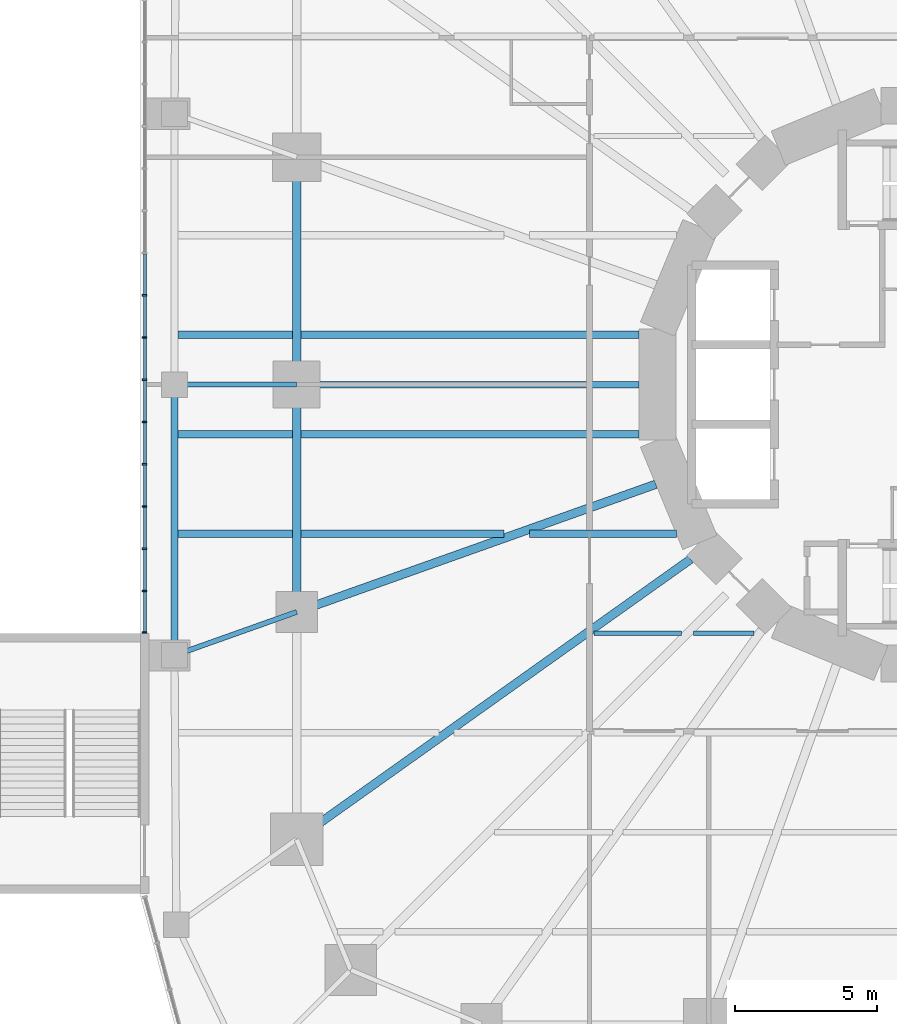
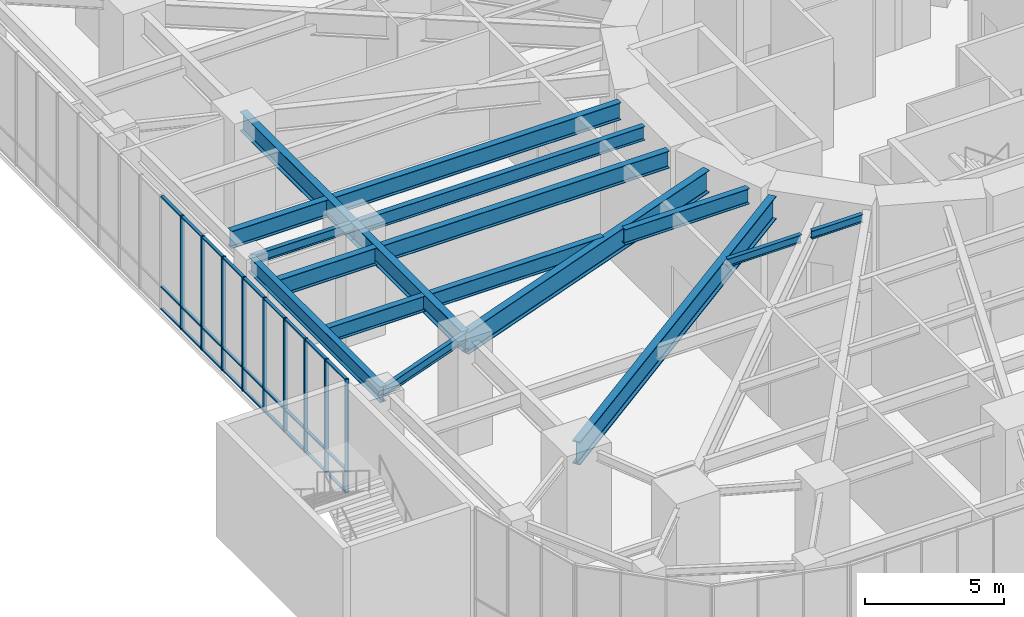
# One storey, part 4 of 24: 36 members, 17 beams, 1 element without a shape of its own.
"""IFC4 building model written with IfcOpenShell, lengths in metres."""

import ifcopenshell
import ifcopenshell.guid

model = None  # the IFC model being written
_history = None  # IfcOwnerHistory: only IFC2X3 demands one
_inside = {}  # id of a spatial element -> (the spatial element, [elements in it])
_under = {}  # id of a project, library or spatial element -> (it, [spatial elements below it])
_declared = {}  # id of a project -> (the project, [libraries it declares])
_typed = {}  # id of a type object -> (the type object, [elements of that type])
_made_of = {}  # id of a material, layer set ... -> (it, [elements and type objects made of it])


def new_model(schema):
    """Start an empty IFC model of exactly this schema.

    Asked for "IFC4X3", IfcOpenShell would pick the latest addendum, in which some entities
    have other attributes; the version numbers below select the first issue.
    IFC2X3 requires an IfcOwnerHistory on every rooted entity: one is made here for all.
    """
    global model, _history
    if schema == "IFC4X3":
        model = ifcopenshell.file(schema_version=(4, 3, 0, 0))
    else:
        model = ifcopenshell.file(schema=schema)
    _inside.clear()
    _under.clear()
    _declared.clear()
    _typed.clear()
    _made_of.clear()
    _history = None
    if model.schema == "IFC2X3":
        org = make("IfcOrganization", Name="unknown")
        user = make(
            "IfcPersonAndOrganization",
            ThePerson=make("IfcPerson", FamilyName="unknown"),
            TheOrganization=org,
        )
        app = make(
            "IfcApplication",
            ApplicationDeveloper=org,
            Version="unknown",
            ApplicationFullName="unknown",
            ApplicationIdentifier="unknown",
        )
        _history = make(
            "IfcOwnerHistory",
            OwningUser=user,
            OwningApplication=app,
            ChangeAction="ADDED",
            CreationDate=0,
        )
    return model


def make(cls, **values):
    """One entity of the class cls with the attributes given. An attribute that is None is left unset."""
    return model.create_entity(
        cls, **{name: value for name, value in values.items() if value is not None}
    )


def rooted(cls, **values):
    """An entity with a GlobalId (a new one), such as an element, a storey or a relation."""
    return make(cls, GlobalId=ifcopenshell.guid.new(), OwnerHistory=_history, **values)


def si_unit(unit_type, name, prefix=None):
    """IfcSIUnit, for example si_unit("LENGTHUNIT", "METRE", prefix="MILLI")."""
    return make("IfcSIUnit", UnitType=unit_type, Prefix=prefix, Name=name)


def assignment(units):
    """IfcUnitAssignment: the units of a project."""
    return None if units is None else make("IfcUnitAssignment", Units=units)


def point(xyz):
    """IfcCartesianPoint."""
    return None if xyz is None else make("IfcCartesianPoint", Coordinates=xyz)


def direction(xyz):
    """IfcDirection."""
    return None if xyz is None else make("IfcDirection", DirectionRatios=xyz)


def frame(location, z_axis=None, x_axis=None):
    """IfcAxis2Placement3D, a coordinate frame: its origin and axes. An axis left out is left unset."""
    return make(
        "IfcAxis2Placement3D",
        Location=point(location),
        Axis=direction(z_axis),
        RefDirection=direction(x_axis),
    )


def frame_2d(location, x_axis=None):
    """IfcAxis2Placement2D, a coordinate frame in the plane: its origin and x axis."""
    return make(
        "IfcAxis2Placement2D", Location=point(location), RefDirection=direction(x_axis)
    )


def origin():
    """The frame at (0, 0, 0) with its axes left unset."""
    return frame((0.0, 0.0, 0.0))


def origin_2d():
    """The frame at (0, 0) in the plane with its x axis left unset."""
    return frame_2d((0.0, 0.0))


def place(relative_to, where):
    """IfcLocalPlacement: puts the frame where relative to a parent placement (None: the world)."""
    return make(
        "IfcLocalPlacement", PlacementRelTo=relative_to, RelativePlacement=where
    )


def context(
    kind, dimensions, precision=None, world=None, true_north=None, identifier=None
):
    """IfcGeometricRepresentationContext, for example the 3D "Model" context."""
    return make(
        "IfcGeometricRepresentationContext",
        ContextIdentifier=identifier,
        ContextType=kind,
        CoordinateSpaceDimension=dimensions,
        Precision=precision,
        WorldCoordinateSystem=world,
        TrueNorth=true_north,
    )


def subcontext(parent, identifier, kind, view, scale=None):
    """IfcGeometricRepresentationSubContext, for example "Body" below "Model"."""
    return make(
        "IfcGeometricRepresentationSubContext",
        ContextIdentifier=identifier,
        ContextType=kind,
        ParentContext=parent,
        TargetScale=scale,
        TargetView=view,
    )


def project(units=None, contexts=None):
    """IfcProject with its units and contexts."""
    return rooted(
        "IfcProject",
        Name="project",
        RepresentationContexts=contexts,
        UnitsInContext=assignment(units),
    )


def spatial(cls, under=None, at=None, **own):
    """A site, building, storey or space (cls), placed at a placement, below another one or the project."""
    s = rooted(cls, ObjectPlacement=at, **own)
    if under is not None:
        _under.setdefault(under.id(), (under, []))[1].append(s)
    return s


def profile(cls, at=None, kind="AREA", **sizes):
    """A parametric profile (cls). Its sizes go by their IFC names, for example OverallWidth=200.0."""
    return make(cls, ProfileType=kind, Position=at, **sizes)


def rectangle(**sizes):
    """IfcRectangleProfileDef."""
    return profile("IfcRectangleProfileDef", **sizes)


def i_section(**sizes):
    """IfcIShapeProfileDef."""
    return profile("IfcIShapeProfileDef", **sizes)


def extrude(swept, where, along, depth):
    """IfcExtrudedAreaSolid: the profile swept, set in the frame where, extruded along a direction by depth."""
    return make(
        "IfcExtrudedAreaSolid",
        SweptArea=swept,
        Position=where,
        ExtrudedDirection=direction(along),
        Depth=depth,
    )


def shape(context_of_items, identifier, shape_type, items):
    """IfcShapeRepresentation: the items that make up one representation, for example the "Body"."""
    return make(
        "IfcShapeRepresentation",
        ContextOfItems=context_of_items,
        RepresentationIdentifier=identifier,
        RepresentationType=shape_type,
        Items=items,
    )


def material(Name=None, Category=None):
    """IfcMaterial."""
    return make("IfcMaterial", Name=Name, Category=Category)


def material_profile(
    of_material, cross_section, Name=None, Category=None, Priority=None
):
    """IfcMaterialProfile: a cross section and its material."""
    return make(
        "IfcMaterialProfile",
        Name=Name,
        Material=of_material,
        Profile=cross_section,
        Priority=Priority,
        Category=Category,
    )


def profile_set(profiles, Name=None, composite=None):
    """IfcMaterialProfileSet."""
    return make(
        "IfcMaterialProfileSet",
        Name=Name,
        MaterialProfiles=profiles,
        CompositeProfile=composite,
    )


def made_of(thing, what):
    """Note that an element or type object is made of a material, layer set ...; save() writes the relation."""
    if what is not None:
        _made_of.setdefault(what.id(), (what, []))[1].append(thing)
    return thing


def type_object(cls, material=None, **own):
    """A type object (cls), such as IfcWallType, which elements share."""
    return made_of(rooted(cls, **own), material)


def element(
    cls,
    number,
    at=None,
    inside=None,
    cuts=None,
    type_object=None,
    material=None,
    context=None,
    identifier="Body",
    shape_type=None,
    held_by="IfcProductDefinitionShape",
    body=None,
    shapes=None,
    **own,
):
    """One element of the class cls, such as IfcWall. Its Tag is "e" and its number.

    at: its placement. inside: the storey or other place that contains it. cuts: it is an
    opening in that element (IfcRelVoidsElement). A single representation is given by context,
    identifier, shape_type and body (its items); several are given by shapes. held_by: the class
    of the entity that holds the representations. save() writes the other relations.
    """
    e = rooted(cls, Tag="e%d" % number, ObjectPlacement=at, **own)
    if body is not None:
        shapes = [shape(context, identifier, shape_type, body)]
    if shapes is not None:
        e.Representation = make(held_by, Representations=shapes)
    if inside is not None:
        _inside.setdefault(inside.id(), (inside, []))[1].append(e)
    if cuts is not None:
        rooted(
            "IfcRelVoidsElement", RelatingBuildingElement=cuts, RelatedOpeningElement=e
        )
    if type_object is not None:
        _typed.setdefault(type_object.id(), (type_object, []))[1].append(e)
    return made_of(e, material)


def aggregate(whole, parts):
    """IfcRelAggregates: a whole, such as a stair, and the parts it consists of."""
    return rooted("IfcRelAggregates", RelatingObject=whole, RelatedObjects=parts)


def save(model, path):
    """Write the relations noted so far, then the file.

    IfcRelAggregates (storeys below a building ...), IfcRelContainedInSpatialStructure (elements
    in a storey), IfcRelDefinesByType, IfcRelAssociatesMaterial and IfcRelDeclares: one each for
    every whole, place, type object, material and project.
    """
    for whole, parts in _under.values():
        aggregate(whole, parts)
    for where, things in _inside.values():
        rooted(
            "IfcRelContainedInSpatialStructure",
            RelatedElements=things,
            RelatingStructure=where,
        )
    for kind, things in _typed.values():
        rooted("IfcRelDefinesByType", RelatedObjects=things, RelatingType=kind)
    for what, things in _made_of.values():
        rooted("IfcRelAssociatesMaterial", RelatedObjects=things, RelatingMaterial=what)
    for by, libraries in _declared.values():
        rooted("IfcRelDeclares", RelatingContext=by, RelatedDefinitions=libraries)
    model.write(path)


model = new_model("IFC4")

# Units and contexts
model_context = context("Model", 3, precision=1e-05, world=origin(), true_north=direction((0.0, 1.0)))
body_context = subcontext(model_context, "Body", "Model", "MODEL_VIEW")
ifc_project = project(units=[si_unit("LENGTHUNIT", "METRE"), si_unit("AREAUNIT", "SQUARE_METRE"), si_unit("VOLUMEUNIT", "CUBIC_METRE"), si_unit("PLANEANGLEUNIT", "RADIAN"), si_unit("MASSUNIT", "GRAM", prefix="KILO")], contexts=[model_context])

# Site, building, storey
site_placement = place(None, origin())
site = spatial("IfcSite", under=ifc_project, at=site_placement, CompositionType="ELEMENT")
building_placement = place(site_placement, origin())
building = spatial("IfcBuilding", under=site, at=building_placement, Name="Nakasero Lantern House", CompositionType="ELEMENT")
storey_placement = place(building_placement, frame((0.0, 0.0, 6.0)))
storey = spatial("IfcBuildingStorey", under=building, at=storey_placement, Name="L01", CompositionType="ELEMENT", Elevation=6.0)

# Beams
ifc_material_1 = material(Name="Steel S355", Category="steel")
ifc_material_profile_1 = material_profile(ifc_material_1, i_section(OverallWidth=0.17138671875, OverallDepth=0.35498046875, WebThickness=0.00732421875, FlangeThickness=0.011474609375, FilletRadius=0.01025390625, at=origin_2d()), Name="UB 356x171x51")
ifc_profile_set_1 = profile_set([ifc_material_profile_1], Name="Steel S355")
beam_type_1 = type_object("IfcBeamType", Name="Infill beam UB 356x171x51", PredefinedType="JOIST", material=ifc_profile_set_1)
beam_1_placement = place(storey_placement, frame((-12.043212890625, -8.75, 4.62255859375), z_axis=(1.0, 0.0, 0.0), x_axis=(0.0, 1.0, 0.0)))
element("IfcBeam", 1, at=beam_1_placement, inside=storey, type_object=beam_type_1, Name="Infill beam L02 06.1", PredefinedType="JOIST", context=body_context, shape_type="SweptSolid", body=[
    extrude(i_section(OverallWidth=0.17138671875, OverallDepth=0.35498046875, WebThickness=0.00732421875, FlangeThickness=0.011474609375, FilletRadius=0.01025390625, at=origin_2d()), origin(), (0.0, 0.0, 1.0), 3.0771484375),
])
beam_2_placement = place(storey_placement, frame((-8.533935546875, -8.75, 4.62255859375), z_axis=(1.0, 0.0, 0.0), x_axis=(0.0, 1.0, 0.0)))
element("IfcBeam", 2, at=beam_2_placement, inside=storey, type_object=beam_type_1, Name="Infill beam L02 06.2", PredefinedType="JOIST", context=body_context, shape_type="SweptSolid", body=[
    extrude(i_section(OverallWidth=0.17138671875, OverallDepth=0.35498046875, WebThickness=0.00732421875, FlangeThickness=0.011474609375, FilletRadius=0.01025390625, at=origin_2d()), origin(), (0.0, 0.0, 1.0), 2.124267578125),
])
ifc_material_2 = material(Name="Steel S355", Category="steel")
ifc_material_profile_2 = material_profile(ifc_material_2, i_section(OverallWidth=0.253662109375, OverallDepth=0.68359375, WebThickness=0.012451171875, FlangeThickness=0.01904296875, FilletRadius=0.01513671875, at=origin_2d()), Name="UB 686x254x140")
ifc_profile_set_2 = profile_set([ifc_material_profile_2], Name="Steel S355")
beam_type_2 = type_object("IfcBeamType", Name="Infill beam UB 686x254x140", PredefinedType="JOIST", material=ifc_profile_set_2)
beam_3_placement = place(storey_placement, frame((-26.672119140625, -5.25, 4.458251953125), z_axis=(1.0, 0.0, 0.0), x_axis=(0.0, 1.0, 0.0)))
element("IfcBeam", 3, at=beam_3_placement, inside=storey, type_object=beam_type_2, Name="Infill beam L02 07.1", PredefinedType="JOIST", context=body_context, shape_type="SweptSolid", body=[
    extrude(i_section(OverallWidth=0.253662109375, OverallDepth=0.68359375, WebThickness=0.012451171875, FlangeThickness=0.01904296875, FilletRadius=0.01513671875, at=origin_2d()), origin(), (0.0, 0.0, 1.0), 4.02587890625),
])
beam_4_placement = place(storey_placement, frame((-22.353759765625, -5.25, 4.458251953125), z_axis=(1.0, 0.0, 0.0), x_axis=(0.0, 1.0, 0.0)))
element("IfcBeam", 4, at=beam_4_placement, inside=storey, type_object=beam_type_2, Name="Infill beam L02 07.2", PredefinedType="JOIST", context=body_context, shape_type="SweptSolid", body=[
    extrude(i_section(OverallWidth=0.253662109375, OverallDepth=0.68359375, WebThickness=0.012451171875, FlangeThickness=0.01904296875, FilletRadius=0.01513671875, at=origin_2d()), origin(), (0.0, 0.0, 1.0), 7.140380859375),
])
beam_5_placement = place(storey_placement, frame((-14.31787109375, -5.25, 4.458251953125), z_axis=(1.0, 0.0, 0.0), x_axis=(0.0, 1.0, 0.0)))
element("IfcBeam", 5, at=beam_5_placement, inside=storey, type_object=beam_type_2, Name="Infill beam L02 07.3", PredefinedType="JOIST", context=body_context, shape_type="SweptSolid", body=[
    extrude(i_section(OverallWidth=0.253662109375, OverallDepth=0.68359375, WebThickness=0.012451171875, FlangeThickness=0.01904296875, FilletRadius=0.01513671875, at=origin_2d()), origin(), (0.0, 0.0, 1.0), 5.173095703125),
])
ifc_material_3 = material(Name="Steel S355", Category="steel")
ifc_material_profile_3 = material_profile(ifc_material_3, i_section(OverallWidth=0.2666015625, OverallDepth=0.76220703125, WebThickness=0.014404296875, FlangeThickness=0.021484375, FilletRadius=0.0166015625, at=origin_2d()), Name="UB 762x267x173")
ifc_profile_set_3 = profile_set([ifc_material_profile_3], Name="Steel S355")
beam_type_3 = type_object("IfcBeamType", Name="Infill beam UB 762x267x173", PredefinedType="JOIST", material=ifc_profile_set_3)
beam_6_placement = place(storey_placement, frame((-26.672119140625, -1.75, 4.4189453125), z_axis=(1.0, 0.0, 0.0), x_axis=(0.0, 1.0, 0.0)))
element("IfcBeam", 6, at=beam_6_placement, inside=storey, type_object=beam_type_3, Name="Infill beam L02 08.1", PredefinedType="JOIST", context=body_context, shape_type="SweptSolid", body=[
    extrude(i_section(OverallWidth=0.2666015625, OverallDepth=0.76220703125, WebThickness=0.014404296875, FlangeThickness=0.021484375, FilletRadius=0.0166015625, at=origin_2d()), origin(), (0.0, 0.0, 1.0), 4.02587890625),
])
beam_7_placement = place(storey_placement, frame((-22.353759765625, -1.75, 4.4189453125), z_axis=(1.0, 0.0, 0.0), x_axis=(0.0, 1.0, 0.0)))
element("IfcBeam", 7, at=beam_7_placement, inside=storey, type_object=beam_type_3, Name="Infill beam L02 08.2", PredefinedType="JOIST", context=body_context, shape_type="SweptSolid", body=[
    extrude(i_section(OverallWidth=0.2666015625, OverallDepth=0.76220703125, WebThickness=0.014404296875, FlangeThickness=0.021484375, FilletRadius=0.0166015625, at=origin_2d()), origin(), (0.0, 0.0, 1.0), 11.89599609375),
])
beam_8_placement = place(storey_placement, frame((-26.672119140625, 1.75, 4.4189453125), z_axis=(1.0, 0.0, 0.0), x_axis=(0.0, 1.0, 0.0)))
element("IfcBeam", 8, at=beam_8_placement, inside=storey, type_object=beam_type_3, Name="Infill beam L02 09.1", PredefinedType="JOIST", context=body_context, shape_type="SweptSolid", body=[
    extrude(i_section(OverallWidth=0.2666015625, OverallDepth=0.76220703125, WebThickness=0.014404296875, FlangeThickness=0.021484375, FilletRadius=0.0166015625, at=origin_2d()), origin(), (0.0, 0.0, 1.0), 4.02587890625),
])
beam_9_placement = place(storey_placement, frame((-22.353759765625, 1.75, 4.4189453125), z_axis=(1.0, 0.0, 0.0), x_axis=(0.0, 1.0, 0.0)))
element("IfcBeam", 9, at=beam_9_placement, inside=storey, type_object=beam_type_3, Name="Infill beam L02 09.2", PredefinedType="JOIST", context=body_context, shape_type="SweptSolid", body=[
    extrude(i_section(OverallWidth=0.2666015625, OverallDepth=0.76220703125, WebThickness=0.014404296875, FlangeThickness=0.021484375, FilletRadius=0.0166015625, at=origin_2d()), origin(), (0.0, 0.0, 1.0), 11.89599609375),
])

# Curtain wall, members
ifc_material_4 = material(Name="Aluminium 6063-T6 and glass", Category="aluminium")
curtain_wall_type = type_object("IfcCurtainWallType", Name="Podium curtain wall CW-2", PredefinedType="USERDEFINED", material=ifc_material_4)
curtain_wall_placement = place(storey_placement, origin())
curtain_wall = element("IfcCurtainWall", 10, at=curtain_wall_placement, inside=storey, type_object=curtain_wall_type, Name="Curtain wall CW-2 L01", ObjectType="STICK CURTAIN WALL", PredefinedType="USERDEFINED")
ifc_material_5 = material(Name="Aluminium 6063-T6", Category="aluminium")
ifc_material_profile_4 = material_profile(ifc_material_5, rectangle(XDim=0.06005859375, YDim=0.159912109375, at=origin_2d()), Name="CW-2 mullion 60x160")
ifc_profile_set_4 = profile_set([ifc_material_profile_4], Name="Aluminium 6063-T6")
member_type_1 = type_object("IfcMemberType", Name="Mullion CW-2", PredefinedType="MULLION", material=ifc_profile_set_4)
member_1_placement = place(storey_placement, frame((-27.85009765625, 3.138916015625, 0.0), z_axis=(0.0, 0.0, 1.0), x_axis=(0.0, -1.0, 0.0)))
member_1 = element("IfcMember", 11, at=member_1_placement, type_object=member_type_1, Name="CW-2 mullion 11", PredefinedType="MULLION", context=body_context, shape_type="SweptSolid", body=[
    extrude(rectangle(XDim=0.06005859375, YDim=0.159912109375, at=origin_2d()), origin(), (0.0, 0.0, 1.0), 5.0),
])
member_2_placement = place(storey_placement, frame((-27.85009765625, 1.65283203125, 0.0), z_axis=(0.0, 0.0, 1.0), x_axis=(0.0, -1.0, 0.0)))
member_2 = element("IfcMember", 12, at=member_2_placement, type_object=member_type_1, Name="CW-2 mullion 12", PredefinedType="MULLION", context=body_context, shape_type="SweptSolid", body=[
    extrude(rectangle(XDim=0.06005859375, YDim=0.159912109375, at=origin_2d()), origin(), (0.0, 0.0, 1.0), 5.0),
])
member_3_placement = place(storey_placement, frame((-27.85009765625, 0.166748046875, 0.0), z_axis=(0.0, 0.0, 1.0), x_axis=(0.0, -1.0, 0.0)))
member_3 = element("IfcMember", 13, at=member_3_placement, type_object=member_type_1, Name="CW-2 mullion 13", PredefinedType="MULLION", context=body_context, shape_type="SweptSolid", body=[
    extrude(rectangle(XDim=0.06005859375, YDim=0.159912109375, at=origin_2d()), origin(), (0.0, 0.0, 1.0), 5.0),
])
member_4_placement = place(storey_placement, frame((-27.85009765625, -1.3193359375, 0.0), z_axis=(0.0, 0.0, 1.0), x_axis=(0.0, -1.0, 0.0)))
member_4 = element("IfcMember", 14, at=member_4_placement, type_object=member_type_1, Name="CW-2 mullion 14", PredefinedType="MULLION", context=body_context, shape_type="SweptSolid", body=[
    extrude(rectangle(XDim=0.06005859375, YDim=0.159912109375, at=origin_2d()), origin(), (0.0, 0.0, 1.0), 5.0),
])
member_5_placement = place(storey_placement, frame((-27.85009765625, -2.8056640625, 0.0), z_axis=(0.0, 0.0, 1.0), x_axis=(0.0, -1.0, 0.0)))
member_5 = element("IfcMember", 15, at=member_5_placement, type_object=member_type_1, Name="CW-2 mullion 15", PredefinedType="MULLION", context=body_context, shape_type="SweptSolid", body=[
    extrude(rectangle(XDim=0.06005859375, YDim=0.159912109375, at=origin_2d()), origin(), (0.0, 0.0, 1.0), 5.0),
])
member_6_placement = place(storey_placement, frame((-27.85009765625, -4.291748046875, 0.0), z_axis=(0.0, 0.0, 1.0), x_axis=(0.0, -1.0, 0.0)))
member_6 = element("IfcMember", 16, at=member_6_placement, type_object=member_type_1, Name="CW-2 mullion 16", PredefinedType="MULLION", context=body_context, shape_type="SweptSolid", body=[
    extrude(rectangle(XDim=0.06005859375, YDim=0.159912109375, at=origin_2d()), origin(), (0.0, 0.0, 1.0), 5.0),
])
member_7_placement = place(storey_placement, frame((-27.85009765625, -5.77783203125, 0.0), z_axis=(0.0, 0.0, 1.0), x_axis=(0.0, -1.0, 0.0)))
member_7 = element("IfcMember", 17, at=member_7_placement, type_object=member_type_1, Name="CW-2 mullion 17", PredefinedType="MULLION", context=body_context, shape_type="SweptSolid", body=[
    extrude(rectangle(XDim=0.06005859375, YDim=0.159912109375, at=origin_2d()), origin(), (0.0, 0.0, 1.0), 5.0),
])
member_8_placement = place(storey_placement, frame((-27.85009765625, -7.263916015625, 0.0), z_axis=(0.0, 0.0, 1.0), x_axis=(0.0, -1.0, 0.0)))
member_8 = element("IfcMember", 18, at=member_8_placement, type_object=member_type_1, Name="CW-2 mullion 18", PredefinedType="MULLION", context=body_context, shape_type="SweptSolid", body=[
    extrude(rectangle(XDim=0.06005859375, YDim=0.159912109375, at=origin_2d()), origin(), (0.0, 0.0, 1.0), 5.0),
])
member_9_placement = place(storey_placement, frame((-27.85009765625, -8.719970703125, 0.0), z_axis=(0.0, 0.0, 1.0), x_axis=(0.0, -1.0, 0.0)))
member_9 = element("IfcMember", 19, at=member_9_placement, type_object=member_type_1, Name="CW-2 mullion 19", PredefinedType="MULLION", context=body_context, shape_type="SweptSolid", body=[
    extrude(rectangle(XDim=0.06005859375, YDim=0.159912109375, at=origin_2d()), origin(), (0.0, 0.0, 1.0), 5.0),
])

# Beams
ifc_material_6 = material(Name="Steel S355", Category="steel")
ifc_material_profile_5 = material_profile(ifc_material_6, i_section(OverallWidth=0.300048828125, OverallDepth=0.97998046875, WebThickness=0.0166015625, FlangeThickness=0.02587890625, FilletRadius=0.030029296875, at=origin_2d()), Name="UB 1016x305x249")
ifc_profile_set_5 = profile_set([ifc_material_profile_5], Name="Steel S355")
beam_type_4 = type_object("IfcBeamType", Name="Primary beam UB 1016x305x249, span 12 to 15 m", PredefinedType="BEAM", material=ifc_profile_set_5)
beam_10_placement = place(storey_placement, frame((-22.5, -8.0, 4.31005859375), z_axis=(0.942214307118, 0.335010745293, 0.0), x_axis=(-0.335010745293, 0.942214307118, 0.0)))
element("IfcBeam", 20, at=beam_10_placement, inside=storey, type_object=beam_type_4, Name="Primary beam L02 B1-C16", PredefinedType="BEAM", context=body_context, shape_type="SweptSolid", body=[
    extrude(i_section(OverallWidth=0.300048828125, OverallDepth=0.97998046875, WebThickness=0.0166015625, FlangeThickness=0.02587890625, FilletRadius=0.030029296875, at=origin_2d()), origin(), (0.0, 0.0, 1.0), 13.408447265625),
])
ifc_material_7 = material(Name="Steel S355", Category="steel")
ifc_material_profile_6 = material_profile(ifc_material_7, i_section(OverallWidth=0.302978515625, OverallDepth=1.015869140625, WebThickness=0.0244140625, FlangeThickness=0.0439453125, FilletRadius=0.030029296875, at=origin_2d()), Name="UB 1016x305x393")
ifc_profile_set_6 = profile_set([ifc_material_profile_6], Name="Steel S355")
beam_type_5 = type_object("IfcBeamType", Name="Primary beam UB 1016x305x393, span over 15 m", PredefinedType="BEAM", material=ifc_profile_set_6)
beam_11_placement = place(storey_placement, frame((-22.5, -16.0, 4.2919921875), z_axis=(0.814952159915, 0.579528236629, 0.0), x_axis=(-0.579528236629, 0.814952159915, 0.0)))
element("IfcBeam", 21, at=beam_11_placement, inside=storey, type_object=beam_type_5, Name="Primary beam L02 B1-C17", PredefinedType="BEAM", context=body_context, shape_type="SweptSolid", body=[
    extrude(i_section(OverallWidth=0.302978515625, OverallDepth=1.015869140625, WebThickness=0.0244140625, FlangeThickness=0.0439453125, FilletRadius=0.030029296875, at=origin_2d()), origin(), (0.0, 0.0, 1.0), 17.003173828125),
])
ifc_material_8 = material(Name="Steel S355", Category="steel")
ifc_material_profile_7 = material_profile(ifc_material_8, i_section(OverallWidth=0.179443359375, OverallDepth=0.412841796875, WebThickness=0.009521484375, FlangeThickness=0.01611328125, FilletRadius=0.01025390625, at=origin_2d()), Name="UB 406x178x74")
ifc_profile_set_7 = profile_set([ifc_material_profile_7], Name="Steel S355")
beam_type_6 = type_object("IfcBeamType", Name="Primary beam UB 406x178x74, span to 6 m", PredefinedType="BEAM", material=ifc_profile_set_7)
beam_12_placement = place(storey_placement, frame((-26.800048828125, 0.0, 4.593505859375), z_axis=(1.0, 0.0, 0.0), x_axis=(0.0, 1.0, 0.0)))
element("IfcBeam", 22, at=beam_12_placement, inside=storey, type_object=beam_type_6, Name="Primary beam L02 POD-C15", PredefinedType="BEAM", context=body_context, shape_type="SweptSolid", body=[
    extrude(i_section(OverallWidth=0.179443359375, OverallDepth=0.412841796875, WebThickness=0.009521484375, FlangeThickness=0.01611328125, FilletRadius=0.01025390625, at=origin_2d()), origin(), (0.0, 0.0, 1.0), 4.300048828125),
])
beam_13_placement = place(storey_placement, frame((-26.800048828125, -9.52880859375, 4.593505859375), z_axis=(0.942221444489, 0.334990670833, 0.0), x_axis=(-0.334990670833, 0.942221444489, 0.0)))
element("IfcBeam", 23, at=beam_13_placement, inside=storey, type_object=beam_type_6, Name="Primary beam L02 POD-C16", PredefinedType="BEAM", context=body_context, shape_type="SweptSolid", body=[
    extrude(i_section(OverallWidth=0.179443359375, OverallDepth=0.412841796875, WebThickness=0.009521484375, FlangeThickness=0.01611328125, FilletRadius=0.01025390625, at=origin_2d()), origin(), (0.0, 0.0, 1.0), 4.563720703125),
])
ifc_material_9 = material(Name="Steel S355", Category="steel")
ifc_material_profile_8 = material_profile(ifc_material_9, i_section(OverallWidth=0.2275390625, OverallDepth=0.6025390625, WebThickness=0.010498046875, FlangeThickness=0.014892578125, FilletRadius=0.0126953125, at=origin_2d()), Name="UB 610x229x101")
ifc_profile_set_8 = profile_set([ifc_material_profile_8], Name="Steel S355")
beam_type_7 = type_object("IfcBeamType", Name="Primary beam UB 610x229x101, span 12 to 15 m", PredefinedType="BEAM", material=ifc_profile_set_8)
beam_14_placement = place(storey_placement, frame((-22.5, 0.0, 4.498779296875), z_axis=(1.0, 0.0, 0.0), x_axis=(0.0, 1.0, 0.0)))
element("IfcBeam", 24, at=beam_14_placement, inside=storey, type_object=beam_type_7, Name="Primary beam L02 B1-C15", PredefinedType="BEAM", context=body_context, shape_type="SweptSolid", body=[
    extrude(i_section(OverallWidth=0.2275390625, OverallDepth=0.6025390625, WebThickness=0.010498046875, FlangeThickness=0.014892578125, FilletRadius=0.0126953125, at=origin_2d()), origin(), (0.0, 0.0, 1.0), 12.042236328125),
])
ifc_material_10 = material(Name="Steel S355", Category="steel")
ifc_material_profile_9 = material_profile(ifc_material_10, i_section(OverallWidth=0.255859375, OverallDepth=0.69287109375, WebThickness=0.014404296875, FlangeThickness=0.023681640625, FilletRadius=0.01513671875, at=origin_2d()), Name="UB 686x254x170")
ifc_profile_set_9 = profile_set([ifc_material_profile_9], Name="Steel S355")
beam_type_8 = type_object("IfcBeamType", Name="Ring beam UB 686x254x170", PredefinedType="BEAM", material=ifc_profile_set_9)
beam_15_placement = place(storey_placement, frame((-26.800048828125, 0.0, 4.45361328125), z_axis=(0.0, -1.0, 0.0), x_axis=(1.0, 0.0, 0.0)))
element("IfcBeam", 25, at=beam_15_placement, inside=storey, type_object=beam_type_8, Name="Ring beam L02 POD-C15", PredefinedType="BEAM", context=body_context, shape_type="SweptSolid", body=[
    extrude(i_section(OverallWidth=0.255859375, OverallDepth=0.69287109375, WebThickness=0.014404296875, FlangeThickness=0.023681640625, FilletRadius=0.01513671875, at=origin_2d()), origin(), (0.0, 0.0, 1.0), 9.52880859375),
])
ifc_material_11 = material(Name="Steel S355", Category="steel")
ifc_material_profile_10 = material_profile(ifc_material_11, i_section(OverallWidth=0.29248046875, OverallDepth=0.8408203125, WebThickness=0.0146484375, FlangeThickness=0.02685546875, FilletRadius=0.017822265625, at=origin_2d()), Name="UB 838x292x194")
ifc_profile_set_10 = profile_set([ifc_material_profile_10], Name="Steel S355")
beam_type_9 = type_object("IfcBeamType", Name="Ring beam UB 838x292x194", PredefinedType="BEAM", material=ifc_profile_set_10)
for number, where, z_axis, x_axis, name in (
    (26, (-22.5, 8.0, 4.379638671875), (0.0, -1.0, 0.0), (1.0, 0.0, 0.0), "Ring beam L02 B1-C14"),
    (27, (-22.5, 0.0, 4.379638671875), (0.0, -1.0, 0.0), (1.0, 0.0, 0.0), "Ring beam L02 B1-C15"),
):
    element("IfcBeam", number, at=place(storey_placement, frame(where, z_axis=z_axis, x_axis=x_axis)), inside=storey, type_object=beam_type_9, Name=name, PredefinedType="BEAM", context=body_context, shape_type="SweptSolid", body=[
        extrude(i_section(OverallWidth=0.29248046875, OverallDepth=0.8408203125, WebThickness=0.0146484375, FlangeThickness=0.02685546875, FilletRadius=0.017822265625, at=origin_2d()), origin(), (0.0, 0.0, 1.0), 8.0),
    ])

# Member
ifc_material_12 = material(Name="Aluminium 6063-T6", Category="aluminium")
ifc_material_profile_11 = material_profile(ifc_material_12, rectangle(XDim=0.06005859375, YDim=0.1201171875, at=origin_2d()), Name="CW-2 transom 60x120")
ifc_profile_set_11 = profile_set([ifc_material_profile_11], Name="Aluminium 6063-T6")
member_type_2 = type_object("IfcMemberType", Name="Transom CW-2", PredefinedType="USERDEFINED", material=ifc_profile_set_11)
member_10_placement = place(storey_placement, frame((-27.85009765625, 4.594970703125, 0.030029296875), z_axis=(0.0, -1.0, 0.0), x_axis=(0.0, 0.0, 1.0)))
member_10 = element("IfcMember", 28, at=member_10_placement, type_object=member_type_2, Name="CW-2 transom 10.1", ObjectType="TRANSOM", PredefinedType="USERDEFINED", context=body_context, shape_type="SweptSolid", body=[
    extrude(rectangle(XDim=0.06005859375, YDim=0.1201171875, at=origin_2d()), origin(), (0.0, 0.0, 1.0), 1.426025390625),
])

member_11_placement = place(storey_placement, frame((-27.85009765625, 4.594970703125, 1.0), z_axis=(0.0, -1.0, 0.0), x_axis=(0.0, 0.0, 1.0)))
member_11 = element("IfcMember", 29, at=member_11_placement, type_object=member_type_2, Name="CW-2 transom 10.2", ObjectType="TRANSOM", PredefinedType="USERDEFINED", context=body_context, shape_type="SweptSolid", body=[
    extrude(rectangle(XDim=0.06005859375, YDim=0.1201171875, at=origin_2d()), origin(), (0.0, 0.0, 1.0), 1.426025390625),
])

member_12_placement = place(storey_placement, frame((-27.85009765625, 4.594970703125, 4.969970703125), z_axis=(0.0, -1.0, 0.0), x_axis=(0.0, 0.0, 1.0)))
member_12 = element("IfcMember", 30, at=member_12_placement, type_object=member_type_2, Name="CW-2 transom 10.3", ObjectType="TRANSOM", PredefinedType="USERDEFINED", context=body_context, shape_type="SweptSolid", body=[
    extrude(rectangle(XDim=0.06005859375, YDim=0.1201171875, at=origin_2d()), origin(), (0.0, 0.0, 1.0), 1.426025390625),
])

member_13_placement = place(storey_placement, frame((-27.85009765625, 3.10888671875, 0.030029296875), z_axis=(0.0, -1.0, 0.0), x_axis=(0.0, 0.0, 1.0)))
member_13 = element("IfcMember", 31, at=member_13_placement, type_object=member_type_2, Name="CW-2 transom 11.1", ObjectType="TRANSOM", PredefinedType="USERDEFINED", context=body_context, shape_type="SweptSolid", body=[
    extrude(rectangle(XDim=0.06005859375, YDim=0.1201171875, at=origin_2d()), origin(), (0.0, 0.0, 1.0), 1.426025390625),
])

member_14_placement = place(storey_placement, frame((-27.85009765625, 3.10888671875, 1.0), z_axis=(0.0, -1.0, 0.0), x_axis=(0.0, 0.0, 1.0)))
member_14 = element("IfcMember", 32, at=member_14_placement, type_object=member_type_2, Name="CW-2 transom 11.2", ObjectType="TRANSOM", PredefinedType="USERDEFINED", context=body_context, shape_type="SweptSolid", body=[
    extrude(rectangle(XDim=0.06005859375, YDim=0.1201171875, at=origin_2d()), origin(), (0.0, 0.0, 1.0), 1.426025390625),
])

member_15_placement = place(storey_placement, frame((-27.85009765625, 3.10888671875, 4.969970703125), z_axis=(0.0, -1.0, 0.0), x_axis=(0.0, 0.0, 1.0)))
member_15 = element("IfcMember", 33, at=member_15_placement, type_object=member_type_2, Name="CW-2 transom 11.3", ObjectType="TRANSOM", PredefinedType="USERDEFINED", context=body_context, shape_type="SweptSolid", body=[
    extrude(rectangle(XDim=0.06005859375, YDim=0.1201171875, at=origin_2d()), origin(), (0.0, 0.0, 1.0), 1.426025390625),
])

member_16_placement = place(storey_placement, frame((-27.85009765625, 1.622802734375, 0.030029296875), z_axis=(0.0, -1.0, 0.0), x_axis=(0.0, 0.0, 1.0)))
member_16 = element("IfcMember", 34, at=member_16_placement, type_object=member_type_2, Name="CW-2 transom 12.1", ObjectType="TRANSOM", PredefinedType="USERDEFINED", context=body_context, shape_type="SweptSolid", body=[
    extrude(rectangle(XDim=0.06005859375, YDim=0.1201171875, at=origin_2d()), origin(), (0.0, 0.0, 1.0), 1.426025390625),
])

member_17_placement = place(storey_placement, frame((-27.85009765625, 1.622802734375, 1.0), z_axis=(0.0, -1.0, 0.0), x_axis=(0.0, 0.0, 1.0)))
member_17 = element("IfcMember", 35, at=member_17_placement, type_object=member_type_2, Name="CW-2 transom 12.2", ObjectType="TRANSOM", PredefinedType="USERDEFINED", context=body_context, shape_type="SweptSolid", body=[
    extrude(rectangle(XDim=0.06005859375, YDim=0.1201171875, at=origin_2d()), origin(), (0.0, 0.0, 1.0), 1.426025390625),
])

member_18_placement = place(storey_placement, frame((-27.85009765625, 1.622802734375, 4.969970703125), z_axis=(0.0, -1.0, 0.0), x_axis=(0.0, 0.0, 1.0)))
member_18 = element("IfcMember", 36, at=member_18_placement, type_object=member_type_2, Name="CW-2 transom 12.3", ObjectType="TRANSOM", PredefinedType="USERDEFINED", context=body_context, shape_type="SweptSolid", body=[
    extrude(rectangle(XDim=0.06005859375, YDim=0.1201171875, at=origin_2d()), origin(), (0.0, 0.0, 1.0), 1.426025390625),
])

member_19_placement = place(storey_placement, frame((-27.85009765625, 0.13671875, 0.030029296875), z_axis=(0.0, -1.0, 0.0), x_axis=(0.0, 0.0, 1.0)))
member_19 = element("IfcMember", 37, at=member_19_placement, type_object=member_type_2, Name="CW-2 transom 13.1", ObjectType="TRANSOM", PredefinedType="USERDEFINED", context=body_context, shape_type="SweptSolid", body=[
    extrude(rectangle(XDim=0.06005859375, YDim=0.1201171875, at=origin_2d()), origin(), (0.0, 0.0, 1.0), 1.42626953125),
])

member_20_placement = place(storey_placement, frame((-27.85009765625, 0.13671875, 1.0), z_axis=(0.0, -1.0, 0.0), x_axis=(0.0, 0.0, 1.0)))
member_20 = element("IfcMember", 38, at=member_20_placement, type_object=member_type_2, Name="CW-2 transom 13.2", ObjectType="TRANSOM", PredefinedType="USERDEFINED", context=body_context, shape_type="SweptSolid", body=[
    extrude(rectangle(XDim=0.06005859375, YDim=0.1201171875, at=origin_2d()), origin(), (0.0, 0.0, 1.0), 1.42626953125),
])

member_21_placement = place(storey_placement, frame((-27.85009765625, 0.13671875, 4.969970703125), z_axis=(0.0, -1.0, 0.0), x_axis=(0.0, 0.0, 1.0)))
member_21 = element("IfcMember", 39, at=member_21_placement, type_object=member_type_2, Name="CW-2 transom 13.3", ObjectType="TRANSOM", PredefinedType="USERDEFINED", context=body_context, shape_type="SweptSolid", body=[
    extrude(rectangle(XDim=0.06005859375, YDim=0.1201171875, at=origin_2d()), origin(), (0.0, 0.0, 1.0), 1.42626953125),
])

member_22_placement = place(storey_placement, frame((-27.85009765625, -1.349365234375, 0.030029296875), z_axis=(0.0, -1.0, 0.0), x_axis=(0.0, 0.0, 1.0)))
member_22 = element("IfcMember", 40, at=member_22_placement, type_object=member_type_2, Name="CW-2 transom 14.1", ObjectType="TRANSOM", PredefinedType="USERDEFINED", context=body_context, shape_type="SweptSolid", body=[
    extrude(rectangle(XDim=0.06005859375, YDim=0.1201171875, at=origin_2d()), origin(), (0.0, 0.0, 1.0), 1.42626953125),
])

member_23_placement = place(storey_placement, frame((-27.85009765625, -1.349365234375, 1.0), z_axis=(0.0, -1.0, 0.0), x_axis=(0.0, 0.0, 1.0)))
member_23 = element("IfcMember", 41, at=member_23_placement, type_object=member_type_2, Name="CW-2 transom 14.2", ObjectType="TRANSOM", PredefinedType="USERDEFINED", context=body_context, shape_type="SweptSolid", body=[
    extrude(rectangle(XDim=0.06005859375, YDim=0.1201171875, at=origin_2d()), origin(), (0.0, 0.0, 1.0), 1.42626953125),
])

member_24_placement = place(storey_placement, frame((-27.85009765625, -1.349365234375, 4.969970703125), z_axis=(0.0, -1.0, 0.0), x_axis=(0.0, 0.0, 1.0)))
member_24 = element("IfcMember", 42, at=member_24_placement, type_object=member_type_2, Name="CW-2 transom 14.3", ObjectType="TRANSOM", PredefinedType="USERDEFINED", context=body_context, shape_type="SweptSolid", body=[
    extrude(rectangle(XDim=0.06005859375, YDim=0.1201171875, at=origin_2d()), origin(), (0.0, 0.0, 1.0), 1.42626953125),
])

member_25_placement = place(storey_placement, frame((-27.85009765625, -2.83544921875, 0.030029296875), z_axis=(0.0, -1.0, 0.0), x_axis=(0.0, 0.0, 1.0)))
member_25 = element("IfcMember", 43, at=member_25_placement, type_object=member_type_2, Name="CW-2 transom 15.1", ObjectType="TRANSOM", PredefinedType="USERDEFINED", context=body_context, shape_type="SweptSolid", body=[
    extrude(rectangle(XDim=0.06005859375, YDim=0.1201171875, at=origin_2d()), origin(), (0.0, 0.0, 1.0), 1.42626953125),
])

member_26_placement = place(storey_placement, frame((-27.85009765625, -2.83544921875, 1.0), z_axis=(0.0, -1.0, 0.0), x_axis=(0.0, 0.0, 1.0)))
member_26 = element("IfcMember", 44, at=member_26_placement, type_object=member_type_2, Name="CW-2 transom 15.2", ObjectType="TRANSOM", PredefinedType="USERDEFINED", context=body_context, shape_type="SweptSolid", body=[
    extrude(rectangle(XDim=0.06005859375, YDim=0.1201171875, at=origin_2d()), origin(), (0.0, 0.0, 1.0), 1.42626953125),
])

member_27_placement = place(storey_placement, frame((-27.85009765625, -2.83544921875, 4.969970703125), z_axis=(0.0, -1.0, 0.0), x_axis=(0.0, 0.0, 1.0)))
member_27 = element("IfcMember", 45, at=member_27_placement, type_object=member_type_2, Name="CW-2 transom 15.3", ObjectType="TRANSOM", PredefinedType="USERDEFINED", context=body_context, shape_type="SweptSolid", body=[
    extrude(rectangle(XDim=0.06005859375, YDim=0.1201171875, at=origin_2d()), origin(), (0.0, 0.0, 1.0), 1.42626953125),
])

member_28_placement = place(storey_placement, frame((-27.85009765625, -4.32177734375, 0.030029296875), z_axis=(0.0, -1.0, 0.0), x_axis=(0.0, 0.0, 1.0)))
member_28 = element("IfcMember", 46, at=member_28_placement, type_object=member_type_2, Name="CW-2 transom 16.1", ObjectType="TRANSOM", PredefinedType="USERDEFINED", context=body_context, shape_type="SweptSolid", body=[
    extrude(rectangle(XDim=0.06005859375, YDim=0.1201171875, at=origin_2d()), origin(), (0.0, 0.0, 1.0), 1.426025390625),
])

member_29_placement = place(storey_placement, frame((-27.85009765625, -4.32177734375, 1.0), z_axis=(0.0, -1.0, 0.0), x_axis=(0.0, 0.0, 1.0)))
member_29 = element("IfcMember", 47, at=member_29_placement, type_object=member_type_2, Name="CW-2 transom 16.2", ObjectType="TRANSOM", PredefinedType="USERDEFINED", context=body_context, shape_type="SweptSolid", body=[
    extrude(rectangle(XDim=0.06005859375, YDim=0.1201171875, at=origin_2d()), origin(), (0.0, 0.0, 1.0), 1.426025390625),
])

member_30_placement = place(storey_placement, frame((-27.85009765625, -4.32177734375, 4.969970703125), z_axis=(0.0, -1.0, 0.0), x_axis=(0.0, 0.0, 1.0)))
member_30 = element("IfcMember", 48, at=member_30_placement, type_object=member_type_2, Name="CW-2 transom 16.3", ObjectType="TRANSOM", PredefinedType="USERDEFINED", context=body_context, shape_type="SweptSolid", body=[
    extrude(rectangle(XDim=0.06005859375, YDim=0.1201171875, at=origin_2d()), origin(), (0.0, 0.0, 1.0), 1.426025390625),
])

member_31_placement = place(storey_placement, frame((-27.85009765625, -5.807861328125, 0.030029296875), z_axis=(0.0, -1.0, 0.0), x_axis=(0.0, 0.0, 1.0)))
member_31 = element("IfcMember", 49, at=member_31_placement, type_object=member_type_2, Name="CW-2 transom 17.1", ObjectType="TRANSOM", PredefinedType="USERDEFINED", context=body_context, shape_type="SweptSolid", body=[
    extrude(rectangle(XDim=0.06005859375, YDim=0.1201171875, at=origin_2d()), origin(), (0.0, 0.0, 1.0), 1.426025390625),
])

member_32_placement = place(storey_placement, frame((-27.85009765625, -5.807861328125, 1.0), z_axis=(0.0, -1.0, 0.0), x_axis=(0.0, 0.0, 1.0)))
member_32 = element("IfcMember", 50, at=member_32_placement, type_object=member_type_2, Name="CW-2 transom 17.2", ObjectType="TRANSOM", PredefinedType="USERDEFINED", context=body_context, shape_type="SweptSolid", body=[
    extrude(rectangle(XDim=0.06005859375, YDim=0.1201171875, at=origin_2d()), origin(), (0.0, 0.0, 1.0), 1.426025390625),
])

member_33_placement = place(storey_placement, frame((-27.85009765625, -5.807861328125, 4.969970703125), z_axis=(0.0, -1.0, 0.0), x_axis=(0.0, 0.0, 1.0)))
member_33 = element("IfcMember", 51, at=member_33_placement, type_object=member_type_2, Name="CW-2 transom 17.3", ObjectType="TRANSOM", PredefinedType="USERDEFINED", context=body_context, shape_type="SweptSolid", body=[
    extrude(rectangle(XDim=0.06005859375, YDim=0.1201171875, at=origin_2d()), origin(), (0.0, 0.0, 1.0), 1.426025390625),
])

member_34_placement = place(storey_placement, frame((-27.85009765625, -7.2939453125, 0.030029296875), z_axis=(0.0, -1.0, 0.0), x_axis=(0.0, 0.0, 1.0)))
member_34 = element("IfcMember", 52, at=member_34_placement, type_object=member_type_2, Name="CW-2 transom 18.1", ObjectType="TRANSOM", PredefinedType="USERDEFINED", context=body_context, shape_type="SweptSolid", body=[
    extrude(rectangle(XDim=0.06005859375, YDim=0.1201171875, at=origin_2d()), origin(), (0.0, 0.0, 1.0), 1.39599609375),
])

member_35_placement = place(storey_placement, frame((-27.85009765625, -7.2939453125, 1.0), z_axis=(0.0, -1.0, 0.0), x_axis=(0.0, 0.0, 1.0)))
member_35 = element("IfcMember", 53, at=member_35_placement, type_object=member_type_2, Name="CW-2 transom 18.2", ObjectType="TRANSOM", PredefinedType="USERDEFINED", context=body_context, shape_type="SweptSolid", body=[
    extrude(rectangle(XDim=0.06005859375, YDim=0.1201171875, at=origin_2d()), origin(), (0.0, 0.0, 1.0), 1.39599609375),
])

member_36_placement = place(storey_placement, frame((-27.85009765625, -7.2939453125, 4.969970703125), z_axis=(0.0, -1.0, 0.0), x_axis=(0.0, 0.0, 1.0)))
member_36 = element("IfcMember", 54, at=member_36_placement, type_object=member_type_2, Name="CW-2 transom 18.3", ObjectType="TRANSOM", PredefinedType="USERDEFINED", context=body_context, shape_type="SweptSolid", body=[
    extrude(rectangle(XDim=0.06005859375, YDim=0.1201171875, at=origin_2d()), origin(), (0.0, 0.0, 1.0), 1.39599609375),
])

aggregate(curtain_wall, [member_1, member_2, member_3, member_4, member_5, member_6, member_7, member_8, member_9, member_10, member_11, member_12, member_13, member_14, member_15, member_16, member_17, member_18, member_19, member_20, member_21, member_22, member_23, member_24, member_25, member_26, member_27, member_28, member_29, member_30, member_31, member_32, member_33, member_34, member_35, member_36])

save(model, "model.ifc")
